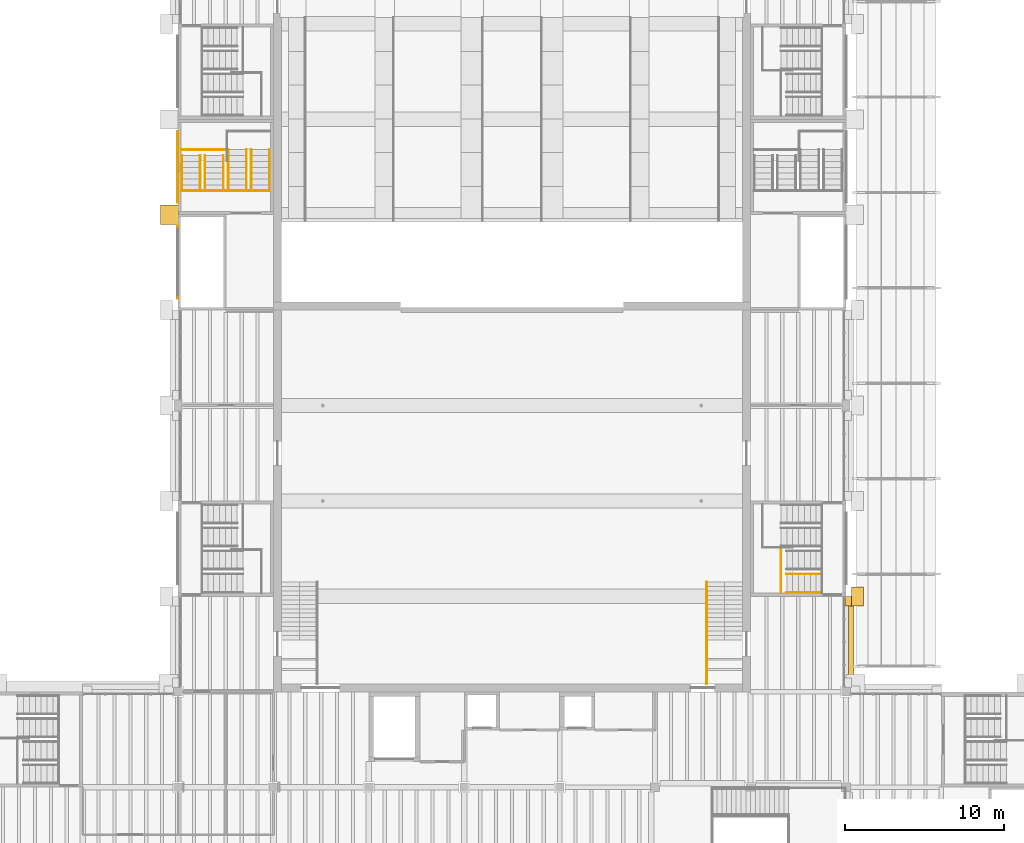
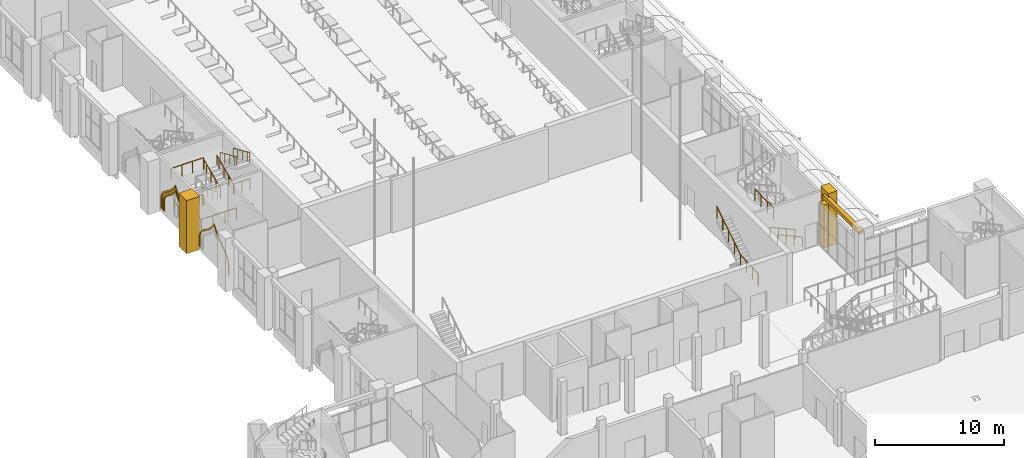
# One storey, part 64 of 80: 16 railings, 8 coverings.
"""IFC4 building model written with IfcOpenShell, lengths in metres."""

import ifcopenshell
import ifcopenshell.guid

model = None  # the IFC model being written
_history = None  # IfcOwnerHistory: only IFC2X3 demands one
_inside = {}  # id of a spatial element -> (the spatial element, [elements in it])
_under = {}  # id of a project, library or spatial element -> (it, [spatial elements below it])
_declared = {}  # id of a project -> (the project, [libraries it declares])
_typed = {}  # id of a type object -> (the type object, [elements of that type])
_made_of = {}  # id of a material, layer set ... -> (it, [elements and type objects made of it])


def new_model(schema):
    """Start an empty IFC model of exactly this schema.

    Asked for "IFC4X3", IfcOpenShell would pick the latest addendum, in which some entities
    have other attributes; the version numbers below select the first issue.
    IFC2X3 requires an IfcOwnerHistory on every rooted entity: one is made here for all.
    """
    global model, _history
    if schema == "IFC4X3":
        model = ifcopenshell.file(schema_version=(4, 3, 0, 0))
    else:
        model = ifcopenshell.file(schema=schema)
    _inside.clear()
    _under.clear()
    _declared.clear()
    _typed.clear()
    _made_of.clear()
    _history = None
    if model.schema == "IFC2X3":
        org = make("IfcOrganization", Name="unknown")
        user = make(
            "IfcPersonAndOrganization",
            ThePerson=make("IfcPerson", FamilyName="unknown"),
            TheOrganization=org,
        )
        app = make(
            "IfcApplication",
            ApplicationDeveloper=org,
            Version="unknown",
            ApplicationFullName="unknown",
            ApplicationIdentifier="unknown",
        )
        _history = make(
            "IfcOwnerHistory",
            OwningUser=user,
            OwningApplication=app,
            ChangeAction="ADDED",
            CreationDate=0,
        )
    return model


def make(cls, **values):
    """One entity of the class cls with the attributes given. An attribute that is None is left unset."""
    return model.create_entity(
        cls, **{name: value for name, value in values.items() if value is not None}
    )


def rooted(cls, **values):
    """An entity with a GlobalId (a new one), such as an element, a storey or a relation."""
    return make(cls, GlobalId=ifcopenshell.guid.new(), OwnerHistory=_history, **values)


def si_unit(unit_type, name, prefix=None):
    """IfcSIUnit, for example si_unit("LENGTHUNIT", "METRE", prefix="MILLI")."""
    return make("IfcSIUnit", UnitType=unit_type, Prefix=prefix, Name=name)


def assignment(units):
    """IfcUnitAssignment: the units of a project."""
    return None if units is None else make("IfcUnitAssignment", Units=units)


def point(xyz):
    """IfcCartesianPoint."""
    return None if xyz is None else make("IfcCartesianPoint", Coordinates=xyz)


def direction(xyz):
    """IfcDirection."""
    return None if xyz is None else make("IfcDirection", DirectionRatios=xyz)


def frame(location, z_axis=None, x_axis=None):
    """IfcAxis2Placement3D, a coordinate frame: its origin and axes. An axis left out is left unset."""
    return make(
        "IfcAxis2Placement3D",
        Location=point(location),
        Axis=direction(z_axis),
        RefDirection=direction(x_axis),
    )


def frame_2d(location, x_axis=None):
    """IfcAxis2Placement2D, a coordinate frame in the plane: its origin and x axis."""
    return make(
        "IfcAxis2Placement2D", Location=point(location), RefDirection=direction(x_axis)
    )


def origin():
    """The frame at (0, 0, 0) with its axes left unset."""
    return frame((0.0, 0.0, 0.0))


def origin_2d():
    """The frame at (0, 0) in the plane with its x axis left unset."""
    return frame_2d((0.0, 0.0))


def place(relative_to, where):
    """IfcLocalPlacement: puts the frame where relative to a parent placement (None: the world)."""
    return make(
        "IfcLocalPlacement", PlacementRelTo=relative_to, RelativePlacement=where
    )


def context(
    kind, dimensions, precision=None, world=None, true_north=None, identifier=None
):
    """IfcGeometricRepresentationContext, for example the 3D "Model" context."""
    return make(
        "IfcGeometricRepresentationContext",
        ContextIdentifier=identifier,
        ContextType=kind,
        CoordinateSpaceDimension=dimensions,
        Precision=precision,
        WorldCoordinateSystem=world,
        TrueNorth=true_north,
    )


def subcontext(parent, identifier, kind, view, scale=None):
    """IfcGeometricRepresentationSubContext, for example "Body" below "Model"."""
    return make(
        "IfcGeometricRepresentationSubContext",
        ContextIdentifier=identifier,
        ContextType=kind,
        ParentContext=parent,
        TargetScale=scale,
        TargetView=view,
    )


def project(units=None, contexts=None):
    """IfcProject with its units and contexts."""
    return rooted(
        "IfcProject",
        Name="project",
        RepresentationContexts=contexts,
        UnitsInContext=assignment(units),
    )


def spatial(cls, under=None, at=None, **own):
    """A site, building, storey or space (cls), placed at a placement, below another one or the project."""
    s = rooted(cls, ObjectPlacement=at, **own)
    if under is not None:
        _under.setdefault(under.id(), (under, []))[1].append(s)
    return s


def polyline(points):
    """IfcPolyline through the points."""
    return make("IfcPolyline", Points=[point(p) for p in points])


def profile(cls, at=None, kind="AREA", **sizes):
    """A parametric profile (cls). Its sizes go by their IFC names, for example OverallWidth=200.0."""
    return make(cls, ProfileType=kind, Position=at, **sizes)


def rectangle(**sizes):
    """IfcRectangleProfileDef."""
    return profile("IfcRectangleProfileDef", **sizes)


def circle(**sizes):
    """IfcCircleProfileDef."""
    return profile("IfcCircleProfileDef", **sizes)


def outline(outer, holes=None, kind="AREA"):
    """IfcArbitraryClosedProfileDef: a profile drawn as a closed curve; with holes, ...WithVoids."""
    if holes is None:
        return make("IfcArbitraryClosedProfileDef", ProfileType=kind, OuterCurve=outer)
    return make(
        "IfcArbitraryProfileDefWithVoids",
        ProfileType=kind,
        OuterCurve=outer,
        InnerCurves=holes,
    )


def extrude(swept, where, along, depth):
    """IfcExtrudedAreaSolid: the profile swept, set in the frame where, extruded along a direction by depth."""
    return make(
        "IfcExtrudedAreaSolid",
        SweptArea=swept,
        Position=where,
        ExtrudedDirection=direction(along),
        Depth=depth,
    )


def shape(context_of_items, identifier, shape_type, items):
    """IfcShapeRepresentation: the items that make up one representation, for example the "Body"."""
    return make(
        "IfcShapeRepresentation",
        ContextOfItems=context_of_items,
        RepresentationIdentifier=identifier,
        RepresentationType=shape_type,
        Items=items,
    )


def material(Name=None, Category=None):
    """IfcMaterial."""
    return make("IfcMaterial", Name=Name, Category=Category)


def layer(
    of_material, thickness, ventilated=None, Name=None, Category=None, Priority=None
):
    """IfcMaterialLayer: one layer of a wall or slab, of a material (None: an air gap)."""
    return make(
        "IfcMaterialLayer",
        Material=of_material,
        LayerThickness=thickness,
        IsVentilated=ventilated,
        Name=Name,
        Category=Category,
        Priority=Priority,
    )


def layer_set(layers, Name=None):
    """IfcMaterialLayerSet."""
    return make("IfcMaterialLayerSet", MaterialLayers=layers, LayerSetName=Name)


def made_of(thing, what):
    """Note that an element or type object is made of a material, layer set ...; save() writes the relation."""
    if what is not None:
        _made_of.setdefault(what.id(), (what, []))[1].append(thing)
    return thing


def type_object(cls, material=None, **own):
    """A type object (cls), such as IfcWallType, which elements share."""
    return made_of(rooted(cls, **own), material)


def element(
    cls,
    number,
    at=None,
    inside=None,
    cuts=None,
    type_object=None,
    material=None,
    context=None,
    identifier="Body",
    shape_type=None,
    held_by="IfcProductDefinitionShape",
    body=None,
    shapes=None,
    **own,
):
    """One element of the class cls, such as IfcWall. Its Tag is "e" and its number.

    at: its placement. inside: the storey or other place that contains it. cuts: it is an
    opening in that element (IfcRelVoidsElement). A single representation is given by context,
    identifier, shape_type and body (its items); several are given by shapes. held_by: the class
    of the entity that holds the representations. save() writes the other relations.
    """
    e = rooted(cls, Tag="e%d" % number, ObjectPlacement=at, **own)
    if body is not None:
        shapes = [shape(context, identifier, shape_type, body)]
    if shapes is not None:
        e.Representation = make(held_by, Representations=shapes)
    if inside is not None:
        _inside.setdefault(inside.id(), (inside, []))[1].append(e)
    if cuts is not None:
        rooted(
            "IfcRelVoidsElement", RelatingBuildingElement=cuts, RelatedOpeningElement=e
        )
    if type_object is not None:
        _typed.setdefault(type_object.id(), (type_object, []))[1].append(e)
    return made_of(e, material)


def aggregate(whole, parts):
    """IfcRelAggregates: a whole, such as a stair, and the parts it consists of."""
    return rooted("IfcRelAggregates", RelatingObject=whole, RelatedObjects=parts)


def save(model, path):
    """Write the relations noted so far, then the file.

    IfcRelAggregates (storeys below a building ...), IfcRelContainedInSpatialStructure (elements
    in a storey), IfcRelDefinesByType, IfcRelAssociatesMaterial and IfcRelDeclares: one each for
    every whole, place, type object, material and project.
    """
    for whole, parts in _under.values():
        aggregate(whole, parts)
    for where, things in _inside.values():
        rooted(
            "IfcRelContainedInSpatialStructure",
            RelatedElements=things,
            RelatingStructure=where,
        )
    for kind, things in _typed.values():
        rooted("IfcRelDefinesByType", RelatedObjects=things, RelatingType=kind)
    for what, things in _made_of.values():
        rooted("IfcRelAssociatesMaterial", RelatedObjects=things, RelatingMaterial=what)
    for by, libraries in _declared.values():
        rooted("IfcRelDeclares", RelatingContext=by, RelatedDefinitions=libraries)
    model.write(path)


model = new_model("IFC4")

# Units and contexts
model_context = context("Model", 3, precision=1e-05, world=origin(), true_north=direction((0.0, 1.0)))
body_context = subcontext(model_context, "Body", "Model", "MODEL_VIEW")
ifc_project = project(units=[si_unit("LENGTHUNIT", "METRE"), si_unit("AREAUNIT", "SQUARE_METRE"), si_unit("VOLUMEUNIT", "CUBIC_METRE"), si_unit("PLANEANGLEUNIT", "RADIAN"), si_unit("MASSUNIT", "GRAM", prefix="KILO")], contexts=[model_context])

# Site, building, storey
site_placement = place(None, origin())
site = spatial("IfcSite", under=ifc_project, at=site_placement, CompositionType="ELEMENT")
building_placement = place(site_placement, origin())
building = spatial("IfcBuilding", under=site, at=building_placement, Name="Saffron Lane Theatres", CompositionType="ELEMENT")
storey_placement = place(building_placement, frame((0.0, 0.0, 7.0)))
storey = spatial("IfcBuildingStorey", under=building, at=storey_placement, Name="L01", CompositionType="ELEMENT", Elevation=7.0)

# Coverings
ifc_material_1 = material(Name="Masonry sandstone", Category="masonry")
ifc_layer_1 = layer(ifc_material_1, 0.050048828125)
ifc_layer_set_1 = layer_set([ifc_layer_1], Name="Masonry sandstone")
covering_type_1 = type_object("IfcCoveringType", Name="EX-ARCH FRAME RING SANDSTONE 50", PredefinedType="CLADDING", material=ifc_layer_set_1)
covering_1_placement = place(storey_placement, frame((12.0, 61.220947265625, 1.466064453125), z_axis=(1.0, 0.0, 0.0), x_axis=(0.0, -0.06442827163, -0.997922340573)))
element("IfcCovering", 1, at=covering_1_placement, inside=storey, type_object=covering_type_1, Name="Arch recess ring L01", PredefinedType="CLADDING", context=body_context, shape_type="SweptSolid", body=[
    extrude(outline(polyline([(0.0, 0.0), (0.17052029873114202, -1.734723475976807e-18), (1.0646548177504682, 0.057727479707130096), (1.0569158749668421, 0.17759510460018418), (0.1666794900903794, 0.12011929782910698), (0.009378312325415084, 0.11999416045256955), (-0.12631115114749694, 0.14132553905751855), (-0.24603161728210898, 0.1805686902487979), (-0.35582673200113546, 0.23659947491203814), (-0.4578891957599371, 0.3092763270207095), (-0.555794861524932, 0.3971451362776176), (-0.653316026970957, 0.49800516267527767), (-0.7518515741675732, 0.6107874953269541), (-0.8559833487339207, 0.734462372469297), (-0.9676838373063142, 0.8654773607007713), (-1.0898294518163916, 1.00291280516755), (-1.2261138421464728, 1.1433497989425043), (-1.3797199718461386, 1.2868274911490194), (-1.5533040390279798, 1.4290153595582635), (-1.7497739147406413, 1.569481016084268), (-1.8987485633254448, 1.6601689117707128), (-1.7626721527133515, 1.769260390906025), (-1.5858956842468284, 1.9338237310590929), (-1.4320364834281316, 2.0971521260967796), (-1.2981552200916107, 2.259190697337195), (-1.1810608911355616, 2.415986431955586), (-1.077601992127411, 2.5679874475964257), (-0.9836759046637523, 2.7122781832046896), (-0.8963118394619282, 2.8483164933306306), (-0.8130968822475313, 2.9728330766257725), (-0.7293548100504015, 3.0853958945498916), (-0.6435609043329518, 3.185124790918292), (-0.5516911944842918, 3.270322371595594), (-0.45001253195297086, 3.340006413039703), (-0.33633221628362797, 3.394318481277149), (-0.20451222420252907, 3.432920915118727), (-0.04850087023483576, 3.45302398997744), (0.841735514641627, 3.510499796748517), (0.8339965718580008, 3.6303674216415716), (-0.06013794716132548, 3.5726399419344412), (-0.22924258562717004, 3.5507129373808337), (-0.378596141799031, 3.507064111625651), (-0.5108079746597345, 3.444216136307078), (-0.6259724615603004, 3.3636308117286893), (-0.7289703097314318, 3.2689074104217855), (-0.8232595752236446, 3.1605566187191068), (-0.9107501759849842, 3.0416355637022074), (-0.996699979104489, 2.914006625097878), (-1.0852822112259581, 2.7778896671794207), (-1.1770785164682693, 2.6347150311334024), (-1.2787771031070279, 2.485763452567737), (-1.393199504391982, 2.333054606794249), (-1.5222947873945643, 2.1764626573449113), (-1.670393474343606, 2.018643802332316), (-1.8417002509999132, 1.8603051727976225), (-2.106324206432929, 1.6467673279258968), (-1.816438580043605, 1.469029958207694), (-1.6261934149493182, 1.3340339934919054), (-1.4590305030942705, 1.196569187182587), (-1.3108709951856827, 1.0578774753100109), (-1.1777618783988018, 0.9211498609758807), (-1.057754085662196, 0.786512180648223), (-0.9483092157791764, 0.6563301599259349), (-0.842959274293184, 0.5327339305761084), (-0.7413113717873806, 0.417216752019324), (-0.6392551998519803, 0.31053329351799586), (-0.5318160234510044, 0.21520657625605405), (-0.4174928931574932, 0.13451394113409837), (-0.29292213027195085, 0.06940650212296195), (-0.15372637343577983, 0.024081254977071236), (0.0, 0.0)])), origin(), (0.0, 0.0, -1.0), 0.050048828125),
])
covering_2_placement = place(storey_placement, frame((12.0, 60.962890625, 1.489013671875), z_axis=(1.0, 0.0, 0.0), x_axis=(0.0, -0.067277250526, -0.997734319126)))
element("IfcCovering", 2, at=covering_2_placement, inside=storey, type_object=covering_type_1, Name="Arch recess ring L01", PredefinedType="CLADDING", context=body_context, shape_type="SweptSolid", body=[
    extrude(outline(polyline([(0.0, 0.0), (0.19233029031026627, 1.734723475976807e-18), (1.0875142802486646, 0.060362279219764774), (1.0740621151654026, 0.2598604255488935), (0.18496781223338807, 0.19990877407892305), (0.015584020397099685, 0.20072197197738367), (-0.12930993244145556, 0.22300681743565523), (-0.25737744477051455, 0.26428900709195824), (-0.3738324043353903, 0.32568513851799763), (-0.4833823096412719, 0.4044308347113844), (-0.5899409854822366, 0.5005068813925055), (-0.6969186565818595, 0.6136833270214763), (-0.806455545762842, 0.7394113458537827), (-0.9222383154489977, 0.8779317362000586), (-1.0464893140129872, 1.0259136097170674), (-1.1832181277392173, 1.1811290396929053), (-1.336190755431839, 1.3413665245256616), (-1.5076131203535217, 1.5030515883918443), (-1.7018369469288772, 1.6654014043510899), (-1.9220589334515876, 1.8250193836201942), (-2.049700012736332, 1.9035239715952115), (-1.9337536117657297, 1.998453669562001), (-1.7369538320912872, 2.1861914371370204), (-1.5662836132441338, 2.3731460678639418), (-1.4181192040708015, 2.55638087603933), (-1.288043179706711, 2.735704338682526), (-1.1733897138094234, 2.9078704821698738), (-1.0701300058149192, 3.071193408419198), (-0.9739916676789238, 3.224003644458316), (-0.88232529816899, 3.363298804143827), (-0.7915099353012716, 3.489812439086117), (-0.6988140522933629, 3.5993242257405087), (-0.6008274244216893, 3.6920641156468856), (-0.493669077112157, 3.768538498045372), (-0.3723030096597413, 3.8266400003332506), (-0.23179456118898933, 3.869393012103157), (-0.06397115480191937, 3.8917206248289538), (0.8251231481300952, 3.9516722762989245), (0.8116709830468334, 4.151170422628053), (-0.08351300689156488, 4.090808143408289), (-0.27410223554270324, 4.064987870501222), (-0.4451520913660816, 4.014302770236232), (-0.5955924629503493, 3.941027255485577), (-0.7275034510174831, 3.846978625211365), (-0.844380195010638, 3.73681510258881), (-0.9502679206038257, 3.612466173180341), (-1.0472960038489982, 3.476479898388833), (-1.1427584332134457, 3.3317901747481002), (-1.2394961329102734, 3.176981963536964), (-1.3410042423826358, 3.0167134879306374), (-1.452105235905665, 2.849925483288521), (-1.5768114889333888, 2.678060260212532), (-1.7181938772187972, 2.503113004705068), (-1.8797940263653994, 2.3268024650682873), (-2.066256523608039, 2.1490601516926002), (-2.3929147724161153, 1.8803809916168037), (-2.033143501864625, 1.6579877914978223), (-1.8245728065730595, 1.5078613564498122), (-1.6407002082776134, 1.3538672728603436), (-1.4771110712833284, 1.199484255062579), (-1.3304608713065962, 1.045916604517425), (-1.197974384574279, 0.8955537098670809), (-1.0758691871722335, 0.7503634852332024), (-0.9592899546053444, 0.6109180202958803), (-0.8452014505102268, 0.4793795413270504), (-0.7307956008937585, 0.35765026200840155), (-0.6091726199284526, 0.24864238533224842), (-0.47856448398217566, 0.15516677446133414), (-0.335221619360768, 0.07967851847782517), (-0.17630589102074565, 0.02726289341672148), (0.0, 0.0)])), origin(), (0.0, 0.0, -1.0), 0.050048828125),
])
covering_3_placement = place(storey_placement, frame((12.0, 60.763916015625, 1.5029296875), z_axis=(1.0, 0.0, 0.0), x_axis=(0.0, -0.067065646472, -0.997748565052)))
element("IfcCovering", 3, at=covering_3_placement, inside=storey, type_object=covering_type_1, Name="Arch recess ring L01", PredefinedType="CLADDING", context=body_context, shape_type="SweptSolid", body=[
    extrude(outline(polyline([(0.0, 0.0), (0.2074984191926236, 1.734723475976807e-18), (1.1014772360238896, 0.06009055726342236), (1.0920952498353498, 0.19966817634906692), (0.20201388833631823, 0.13983959426717446), (0.011615956568756983, 0.14025496281157382), (-0.1545495581607764, 0.1660342398852799), (-0.3013217281198837, 0.216362774594851), (-0.435308245304982, 0.2876154279151693), (-0.5608118797206071, 0.37827952297569045), (-0.6813411454755376, 0.4895873772421637), (-0.8002551848645222, 0.616908751733141), (-0.9221167322992069, 0.7589581870874968), (-1.0488253950991717, 0.9148739228396727), (-1.186176225141812, 1.079861985519764), (-1.3360197094001713, 1.2523298417874185), (-1.5023331596762923, 1.4295632334296131), (-1.689857407544703, 1.6092859638033192), (-1.9023752941957186, 1.789530921019154), (-2.1427587800075587, 1.9657006129933605), (-2.3310778582787033, 2.0844417257822565), (-2.1603438640677535, 2.227317302169595), (-1.945699439841227, 2.434072596587418), (-1.7592153368547458, 2.6411372630123773), (-1.5974301505716484, 2.844339519030701), (-1.456331811517781, 3.0422362031160675), (-1.3309175129370854, 3.2332060565792715), (-1.2168824740506068, 3.4150915184680417), (-1.1121797264991542, 3.5865620306235555), (-1.01042477424689, 3.74364229201819), (-0.9096852630765426, 3.886706881200974), (-0.805070989599554, 4.01216943836774), (-0.6928953425442629, 4.119788383334645), (-0.5695843140065082, 4.207357034802879), (-0.4308678808794456, 4.276875251559516), (-0.2696471477012892, 4.324660443881734), (-0.08101754840905481, 4.350552898829916), (0.8090638130899768, 4.410381480911808), (0.799681826901437, 4.549959099997453), (-0.09429698992982904, 4.4898685427340315), (-0.299928835954052, 4.462099173491861), (-0.48175454911721033, 4.407790454445362), (-0.6417883508808035, 4.327785761836828), (-0.782322811336707, 4.22706951819905), (-0.9076463378150302, 4.107555693526036), (-1.0206021653451405, 3.9715000894631314), (-1.1270384876998094, 3.8221799810608545), (-1.2304638189878152, 3.660827685784956), (-1.3361409303723266, 3.48929167983406), (-1.4482927353880704, 3.3085115693691134), (-1.5720202814841786, 3.1215701588289084), (-1.7092559228779225, 2.928092869664417), (-1.8663186618097571, 2.7310806390702025), (-2.046457047981351, 2.531538567002596), (-2.253455933357439, 2.3311697793950295), (-2.5685790425867374, 2.0684776131577776), (-2.2211347453361867, 1.85032122778061), (-1.9891827239193753, 1.6794573949928497), (-1.7839602141162927, 1.5058181189990123), (-1.6019443391437345, 1.3315977291979), (-1.440050283788488, 1.1582270352158286), (-1.292417502377776, 0.9895256466896438), (-1.1570808937966353, 0.8253809602518462), (-1.0293978671636117, 0.6695307182950527), (-0.9053092434324345, 0.5234712242409627), (-0.7798469735191562, 0.38973863913971574), (-0.6496990247011458, 0.27002373702473836), (-0.5095084066710004, 0.16835697159344964), (-0.356759353376265, 0.08735436036579791), (-0.18752367336143377, 0.030460934429599087), (0.0, 0.0)])), origin(), (0.0, 0.0, -1.0), 0.050048828125),
])
covering_4_placement = place(storey_placement, frame((12.0, 54.715087890625, 1.447998046875), z_axis=(1.0, 0.0, 0.0), x_axis=(0.0, -0.071247049988, -0.997458699831)))
element("IfcCovering", 4, at=covering_4_placement, inside=storey, type_object=covering_type_1, Name="Arch recess ring L01", PredefinedType="CLADDING", context=body_context, shape_type="SweptSolid", body=[
    extrude(outline(polyline([(0.0, 0.0), (0.2124539718145333, 1.734723475976807e-18), (1.0465106238946769, 0.05957547514858168), (1.0365262960887538, 0.19935606443150206), (0.20660948724521258, 0.1400762923712491), (0.011045380064043608, 0.14005889807193567), (-0.15921002161604908, 0.16608076984486358), (-0.31007077956164, 0.21527184830331292), (-0.4476596871310651, 0.287684316345224), (-0.5766905994382706, 0.38077860627083254), (-0.700016181570663, 0.49337190572682355), (-0.8236374667913842, 0.6238117562784188), (-0.9483371985695395, 0.7693498586340927), (-1.0788292320190753, 0.9274466450940806), (-1.2200883367436393, 1.0957886738496934), (-1.3740974628649651, 1.2712971539224491), (-1.5453965225038653, 1.4524239926734508), (-1.7378644444072395, 1.6352206841585444), (-1.9555541003151224, 1.8181739243374588), (-2.2028836422531324, 1.9980309792385782), (-2.398065074849405, 2.119443188446491), (-2.2221217372938127, 2.2673643098081078), (-2.0028665944477186, 2.4805488421938064), (-1.813390492026259, 2.6925853508248165), (-1.6488578148202926, 2.9008820851034343), (-1.5050417480966507, 3.1045171471660464), (-1.3775415341290294, 3.3001334372451554), (-1.261643317803482, 3.486843846075776), (-1.1549466858147521, 3.6618826800670687), (-1.0521985597701764, 3.823667057981509), (-0.9483719871681664, 3.970353184091871), (-0.8423015499547208, 4.099331913501136), (-0.7278122718735633, 4.209820502740199), (-0.6019123334427796, 4.301053602639268), (-0.4595747821607814, 4.371187417471116), (-0.2948159790637404, 4.422117925860912), (-0.10116524480705141, 4.448922541102945), (0.7287515640364899, 4.508202313163198), (0.718767236230567, 4.647982902446119), (-0.1152894158495765, 4.588407427297536), (-0.32558649454924143, 4.558210923689379), (-0.5110097252306665, 4.501888182512413), (-0.6746205045730195, 4.421178633697985), (-0.8177581936234366, 4.317699947082244), (-0.944301721128818, 4.194356970650538), (-1.0596433198763349, 4.054680747163498), (-1.1679054388032757, 3.901558730307158), (-1.2732974983434966, 3.7356692977547428), (-1.3812117312841683, 3.560543492266883), (-1.4952313632838625, 3.374946318592323), (-1.6207486271297502, 3.1824088194916955), (-1.7611032282900148, 2.985140070977808), (-1.9211133876744824, 2.7820616264932267), (-2.10403183925477, 2.5775916380635686), (-2.3159987706885268, 2.3720258087771633), (-2.6354972604780587, 2.1024837466158726), (-2.280931863272602, 1.8810891049542235), (-2.0418994021071106, 1.707737517996336), (-1.83177626640058, 1.5313419286585939), (-1.6445266342912426, 1.3530677549949988), (-1.4775587551813927, 1.1777506122146908), (-1.3259500423653234, 1.0050078257327741), (-1.1867086763611199, 0.8375007233442073), (-1.0549990419596424, 0.6794909083807867), (-0.9270987591078116, 0.5302652145706606), (-0.7981722125964867, 0.39408524524562516), (-0.6641491363863198, 0.27222078425556295), (-0.5214289105194256, 0.16908998362609123), (-0.36496718819490237, 0.08603220440434596), (-0.19154602403976098, 0.029396365839738113), (0.0, 0.0)])), origin(), (0.0, 0.0, -1.0), 0.050048828125),
])
ifc_material_2 = material(Name="Masonry sandstone", Category="masonry")
ifc_layer_2 = layer(ifc_material_2, 1.199951171875)
ifc_layer_set_2 = layer_set([ifc_layer_2], Name="Masonry sandstone")
covering_type_2 = type_object("IfcCoveringType", Name="EX-FLANK BUTTRESS PIER SANDSTONE 1200", PredefinedType="CLADDING", material=ifc_layer_set_2)
covering_5_placement = place(storey_placement, frame((11.47509765625, 60.0, 0.0), z_axis=(0.0, 0.0, 1.0), x_axis=(0.0, 1.0, 0.0)))
element("IfcCovering", 5, at=covering_5_placement, inside=storey, type_object=covering_type_2, Name="Flank buttress west L01", PredefinedType="CLADDING", context=body_context, shape_type="SweptSolid", body=[
    extrude(rectangle(XDim=1.199951171875, YDim=1.14990234375, at=origin_2d()), origin(), (0.0, 0.0, 1.0), 5.0),
])
covering_6_placement = place(storey_placement, frame((54.72509765625, 36.0, 0.0), z_axis=(0.0, 0.0, 1.0), x_axis=(0.0, 1.0, 0.0)))
element("IfcCovering", 6, at=covering_6_placement, inside=storey, type_object=covering_type_2, Name="Flank buttress east L01", PredefinedType="CLADDING", context=body_context, shape_type="SweptSolid", body=[
    extrude(rectangle(XDim=1.199951171875, YDim=0.75, at=origin_2d()), origin(), (0.0, 0.0, 1.0), 5.0),
])
ifc_material_3 = material(Name="Masonry sandstone", Category="masonry")
ifc_layer_3 = layer(ifc_material_3, 0.39990234375)
ifc_layer_set_3 = layer_set([ifc_layer_3], Name="Masonry sandstone")
covering_type_3 = type_object("IfcCoveringType", Name="EX-PILASTER PIER SANDSTONE 400", PredefinedType="CLADDING", material=ifc_layer_set_3)
covering_7_placement = place(storey_placement, frame((54.14990234375, 35.699951171875, 0.0), z_axis=(0.0, 0.0, 1.0), x_axis=(0.0, -1.0, 0.0)))
element("IfcCovering", 7, at=covering_7_placement, inside=storey, type_object=covering_type_3, Name="Pilaster pier L01", PredefinedType="CLADDING", context=body_context, shape_type="SweptSolid", body=[
    extrude(rectangle(XDim=0.60009765625, YDim=0.39990234375, at=origin_2d()), origin(), (0.0, 0.0, 1.0), 4.050048828125),
])
ifc_material_4 = material(Name="Masonry sandstone", Category="masonry")
ifc_layer_4 = layer(ifc_material_4, 0.300048828125)
ifc_layer_set_4 = layer_set([ifc_layer_4], Name="Masonry sandstone")
covering_type_4 = type_object("IfcCoveringType", Name="EX-STRING COURSE SANDSTONE 350", PredefinedType="CLADDING", material=ifc_layer_set_4)
covering_8_placement = place(storey_placement, frame((54.324951171875, 33.137939453125, 4.300048828125), z_axis=(0.0, 0.0, 1.0), x_axis=(0.0, -1.0, 0.0)))
element("IfcCovering", 8, at=covering_8_placement, inside=storey, type_object=covering_type_4, Name="String course L01", PredefinedType="CLADDING", context=body_context, shape_type="SweptSolid", body=[
    extrude(rectangle(XDim=5.72509765625, YDim=0.35009765625, at=origin_2d()), origin(), (0.0, 0.0, 1.0), 0.35009765625),
])

# Railings
ifc_material_5 = material(Name="Steel Grade 350", Category="steel")
railing_type_1 = type_object("IfcRailingType", Name="VC-GUARD 1100", PredefinedType="GUARDRAIL", material=ifc_material_5)
railing_1_placement = place(storey_placement, frame((12.22998046875, 64.090087890625, 3.666748046875)))
element("IfcRailing", 9, at=railing_1_placement, inside=storey, type_object=railing_type_1, Name="Auditorium West Front Stair landing guard 2N2s", PredefinedType="GUARDRAIL", context=body_context, shape_type="SweptSolid", body=[
    extrude(circle(Radius=0.02392578125, at=origin_2d()), frame((0.0, 0.0, 1.076171875), z_axis=(1.0, 0.0, 0.0), x_axis=(0.0, 1.0, 0.0)), (0.0, 0.0, 1.0), 2.8701171875),
    extrude(circle(Radius=0.02099609375, at=origin_2d()), origin(), (0.0, 0.0, 1.0), 1.052001953125),
    extrude(circle(Radius=0.02099609375, at=origin_2d()), frame((0.956787109375, 0.0, 0.0)), (0.0, 0.0, 1.0), 1.052001953125),
    extrude(circle(Radius=0.02099609375, at=origin_2d()), frame((1.913330078125, 0.0, 0.0)), (0.0, 0.0, 1.0), 1.052001953125),
    extrude(circle(Radius=0.02099609375, at=origin_2d()), frame((2.8701171875, 0.0, 0.0)), (0.0, 0.0, 1.0), 1.052001953125),
])
railing_2_placement = place(storey_placement, frame((12.22998046875, 61.5, 2.333251953125)))
element("IfcRailing", 10, at=railing_2_placement, inside=storey, type_object=railing_type_1, Name="Auditorium West Front Stair landing guard 2S2w", PredefinedType="GUARDRAIL", context=body_context, shape_type="SweptSolid", body=[
    extrude(circle(Radius=0.02392578125, at=origin_2d()), frame((0.0, 0.0, 1.076171875), z_axis=(1.0, 0.0, 0.0), x_axis=(0.0, 1.0, 0.0)), (0.0, 0.0, 1.0), 1.320068359375),
    extrude(circle(Radius=0.02099609375, at=origin_2d()), origin(), (0.0, 0.0, 1.0), 1.052001953125),
    extrude(circle(Radius=0.02099609375, at=origin_2d()), frame((0.66015625, 0.0, 0.0)), (0.0, 0.0, 1.0), 1.052001953125),
    extrude(circle(Radius=0.02099609375, at=origin_2d()), frame((1.320068359375, 0.0, 0.0)), (0.0, 0.0, 1.0), 1.052001953125),
])
railing_3_placement = place(storey_placement, frame((16.35009765625, 61.5, 2.333251953125)))
element("IfcRailing", 11, at=railing_3_placement, inside=storey, type_object=railing_type_1, Name="Auditorium West Front Stair landing guard 2S2e", PredefinedType="GUARDRAIL", context=body_context, shape_type="SweptSolid", body=[
    extrude(circle(Radius=0.02392578125, at=origin_2d()), frame((0.0, 0.0, 1.076171875), z_axis=(1.0, 0.0, 0.0), x_axis=(0.0, 1.0, 0.0)), (0.0, 0.0, 1.0), 1.419921875),
    extrude(circle(Radius=0.02099609375, at=origin_2d()), origin(), (0.0, 0.0, 1.0), 1.052001953125),
    extrude(circle(Radius=0.02099609375, at=origin_2d()), frame((0.7099609375, 0.0, 0.0)), (0.0, 0.0, 1.0), 1.052001953125),
    extrude(circle(Radius=0.02099609375, at=origin_2d()), frame((1.419921875, 0.0, 0.0)), (0.0, 0.0, 1.0), 1.052001953125),
])
railing_4_placement = place(storey_placement, frame((13.449951171875, 61.5, 0.0)))
element("IfcRailing", 12, at=railing_4_placement, inside=storey, type_object=railing_type_1, Name="Auditorium West Front Stair guard L01", PredefinedType="GUARDRAIL", context=body_context, shape_type="SweptSolid", body=[
    extrude(circle(Radius=0.02392578125, at=origin_2d()), frame((0.0, 0.0, 1.076171875), z_axis=(1.0, 0.0, 0.0), x_axis=(0.0, 1.0, 0.0)), (0.0, 0.0, 1.0), 3.10009765625),
    extrude(circle(Radius=0.02099609375, at=origin_2d()), origin(), (0.0, 0.0, 1.0), 1.052001953125),
    extrude(circle(Radius=0.02099609375, at=origin_2d()), frame((1.033447265625, 0.0, 0.0)), (0.0, 0.0, 1.0), 1.052001953125),
    extrude(circle(Radius=0.02099609375, at=origin_2d()), frame((2.066650390625, 0.0, 0.0)), (0.0, 0.0, 1.0), 1.052001953125),
    extrude(circle(Radius=0.02099609375, at=origin_2d()), frame((3.10009765625, 0.0, 0.0)), (0.0, 0.0, 1.0), 1.052001953125),
])
railing_5_placement = place(storey_placement, frame((49.909912109375, 36.22998046875, 3.666748046875)))
element("IfcRailing", 13, at=railing_5_placement, inside=storey, type_object=railing_type_1, Name="Stage East Stair landing guard 2N2s", PredefinedType="GUARDRAIL", context=body_context, shape_type="SweptSolid", body=[
    extrude(circle(Radius=0.02392578125, at=origin_2d()), frame((0.0, 0.0, 1.076171875), z_axis=(0.0, 1.0, 0.0), x_axis=(-1.0, 0.0, 0.0)), (0.0, 0.0, 1.0), 2.8701171875),
    extrude(circle(Radius=0.02099609375, at=origin_2d()), origin(), (0.0, 0.0, 1.0), 1.052001953125),
    extrude(circle(Radius=0.02099609375, at=origin_2d()), frame((0.0, 0.956787109375, 0.0)), (0.0, 0.0, 1.0), 1.052001953125),
    extrude(circle(Radius=0.02099609375, at=origin_2d()), frame((0.0, 1.913330078125, 0.0)), (0.0, 0.0, 1.0), 1.052001953125),
    extrude(circle(Radius=0.02099609375, at=origin_2d()), frame((0.0, 2.8701171875, 0.0)), (0.0, 0.0, 1.0), 1.052001953125),
])
ifc_material_6 = material(Name="Steel Grade 350", Category="steel")
railing_type_2 = type_object("IfcRailingType", Name="VC-HANDRAIL 900", PredefinedType="HANDRAIL", material=ifc_material_6)
for number, where, name in (
    (14, (12.25, 61.5, 0.166748046875), "Auditorium West Front Stair handrail 2.1a"),
    (15, (13.39990234375, 61.5, 0.166748046875), "Auditorium West Front Stair handrail 2.1b"),
):
    element("IfcRailing", number, at=place(storey_placement, frame(where)), inside=storey, type_object=railing_type_2, Name=name, PredefinedType="HANDRAIL", context=body_context, shape_type="SweptSolid", body=[
        extrude(circle(Radius=0.02392578125, at=origin_2d()), frame((0.0, 0.0, 0.8759765625), z_axis=(0.0, 0.911803263409, 0.410627335715), x_axis=(-1.0, 0.0, 0.0)), (0.0, 0.0, 1.0), 0.8115234375),
        extrude(circle(Radius=0.02392578125, at=origin_2d()), frame((0.0, 0.739990234375, 1.208984375), z_axis=(0.0, 0.911803263409, 0.410627335715), x_axis=(-1.0, 0.0, 0.0)), (0.0, 0.0, 1.0), 0.8115234375),
        extrude(circle(Radius=0.02392578125, at=origin_2d()), frame((0.0, 1.47998046875, 1.54248046875), z_axis=(0.0, 0.911690610408, 0.410877391559), x_axis=(-1.0, 0.0, 0.0)), (0.0, 0.0, 1.0), 0.811767578125),
        extrude(circle(Radius=0.02099609375, at=origin_2d()), origin(), (0.0, 0.0, 1.0), 0.851806640625),
        extrude(circle(Radius=0.02099609375, at=origin_2d()), frame((0.0, 0.739990234375, 0.333251953125)), (0.0, 0.0, 1.0), 0.851806640625),
        extrude(circle(Radius=0.02099609375, at=origin_2d()), frame((0.0, 1.47998046875, 0.66650390625)), (0.0, 0.0, 1.0), 0.851806640625),
        extrude(circle(Radius=0.02099609375, at=origin_2d()), frame((0.0, 2.219970703125, 1.0)), (0.0, 0.0, 1.0), 0.851806640625),
    ])
for number, where, name in (
    (16, (13.699951171875, 63.719970703125, 1.333251953125), "Auditorium West Front Stair handrail 2.2a"),
    (17, (14.85009765625, 63.719970703125, 1.333251953125), "Auditorium West Front Stair handrail 2.2b"),
):
    element("IfcRailing", number, at=place(storey_placement, frame(where)), inside=storey, type_object=railing_type_2, Name=name, PredefinedType="HANDRAIL", context=body_context, shape_type="SweptSolid", body=[
        extrude(circle(Radius=0.02392578125, at=origin_2d()), frame((0.0, 0.0, 0.8759765625), z_axis=(0.0, -0.911690610408, 0.410877391559), x_axis=(1.0, 0.0, 0.0)), (0.0, 0.0, 1.0), 0.811767578125),
        extrude(circle(Radius=0.02392578125, at=origin_2d()), frame((0.0, -0.739990234375, 1.20947265625), z_axis=(0.0, -0.911803263409, 0.410627335715), x_axis=(1.0, 0.0, 0.0)), (0.0, 0.0, 1.0), 0.8115234375),
        extrude(circle(Radius=0.02392578125, at=origin_2d()), frame((0.0, -1.47998046875, 1.54248046875), z_axis=(0.0, -0.911803263409, 0.410627335715), x_axis=(1.0, 0.0, 0.0)), (0.0, 0.0, 1.0), 0.8115234375),
        extrude(circle(Radius=0.02099609375, at=origin_2d()), origin(), (0.0, 0.0, 1.0), 0.851806640625),
        extrude(circle(Radius=0.02099609375, at=origin_2d()), frame((0.0, -0.739990234375, 0.33349609375)), (0.0, 0.0, 1.0), 0.851806640625),
        extrude(circle(Radius=0.02099609375, at=origin_2d()), frame((0.0, -1.47998046875, 0.666748046875)), (0.0, 0.0, 1.0), 0.851806640625),
        extrude(circle(Radius=0.02099609375, at=origin_2d()), frame((0.0, -2.219970703125, 1.0)), (0.0, 0.0, 1.0), 0.851806640625),
    ])
for number, where, name in (
    (18, (15.14990234375, 61.5, 2.5), "Auditorium West Front Stair handrail 2.3a"),
    (19, (16.300048828125, 61.5, 2.5), "Auditorium West Front Stair handrail 2.3b"),
):
    element("IfcRailing", number, at=place(storey_placement, frame(where)), inside=storey, type_object=railing_type_2, Name=name, PredefinedType="HANDRAIL", context=body_context, shape_type="SweptSolid", body=[
        extrude(circle(Radius=0.02392578125, at=origin_2d()), frame((0.0, 0.0, 0.8759765625), z_axis=(0.0, 0.911803263409, 0.410627335715), x_axis=(-1.0, 0.0, 0.0)), (0.0, 0.0, 1.0), 0.8115234375),
        extrude(circle(Radius=0.02392578125, at=origin_2d()), frame((0.0, 0.739990234375, 1.208984375), z_axis=(0.0, 0.911690610408, 0.410877391559), x_axis=(-1.0, 0.0, 0.0)), (0.0, 0.0, 1.0), 0.811767578125),
        extrude(circle(Radius=0.02392578125, at=origin_2d()), frame((0.0, 1.47998046875, 1.54248046875), z_axis=(0.0, 0.911803263409, 0.410627335715), x_axis=(-1.0, 0.0, 0.0)), (0.0, 0.0, 1.0), 0.8115234375),
        extrude(circle(Radius=0.02392578125, at=origin_2d()), frame((0.0, 2.219970703125, 1.8759765625), z_axis=(0.0, 0.911741368748, 0.410764745947), x_axis=(-1.0, 0.0, 0.0)), (0.0, 0.0, 1.0), 0.406005859375),
        extrude(circle(Radius=0.02099609375, at=origin_2d()), origin(), (0.0, 0.0, 1.0), 0.851806640625),
        extrude(circle(Radius=0.02099609375, at=origin_2d()), frame((0.0, 0.739990234375, 0.333251953125)), (0.0, 0.0, 1.0), 0.851806640625),
        extrude(circle(Radius=0.02099609375, at=origin_2d()), frame((0.0, 1.47998046875, 0.666748046875)), (0.0, 0.0, 1.0), 0.851806640625),
        extrude(circle(Radius=0.02099609375, at=origin_2d()), frame((0.0, 2.219970703125, 1.0)), (0.0, 0.0, 1.0), 0.851806640625),
        extrude(circle(Radius=0.02099609375, at=origin_2d()), frame((0.0, 2.590087890625, 1.166748046875)), (0.0, 0.0, 1.0), 0.851806640625),
    ])
for number, where, name in (
    (20, (16.60009765625, 64.090087890625, 3.833251953125), "Auditorium West Front Stair handrail 2.4a"),
    (21, (17.75, 64.090087890625, 3.833251953125), "Auditorium West Front Stair handrail 2.4b"),
):
    element("IfcRailing", number, at=place(storey_placement, frame(where)), inside=storey, type_object=railing_type_2, Name=name, PredefinedType="HANDRAIL", context=body_context, shape_type="SweptSolid", body=[
        extrude(circle(Radius=0.02392578125, at=origin_2d()), frame((0.0, 0.0, 0.8759765625), z_axis=(0.0, -0.911690610408, 0.410877391559), x_axis=(1.0, 0.0, 0.0)), (0.0, 0.0, 1.0), 0.811767578125),
        extrude(circle(Radius=0.02392578125, at=origin_2d()), frame((0.0, -0.739990234375, 1.20947265625), z_axis=(0.0, -0.911803263409, 0.410627335715), x_axis=(1.0, 0.0, 0.0)), (0.0, 0.0, 1.0), 0.8115234375),
        extrude(circle(Radius=0.02392578125, at=origin_2d()), frame((0.0, -1.47998046875, 1.54248046875), z_axis=(0.0, -0.911803263409, 0.410627335715), x_axis=(1.0, 0.0, 0.0)), (0.0, 0.0, 1.0), 0.8115234375),
        extrude(circle(Radius=0.02392578125, at=origin_2d()), frame((0.0, -2.219970703125, 1.8759765625), z_axis=(0.0, -0.911741368748, 0.410764745947), x_axis=(1.0, 0.0, 0.0)), (0.0, 0.0, 1.0), 0.406005859375),
        extrude(circle(Radius=0.02099609375, at=origin_2d()), origin(), (0.0, 0.0, 1.0), 0.851806640625),
        extrude(circle(Radius=0.02099609375, at=origin_2d()), frame((0.0, -0.739990234375, 0.33349609375)), (0.0, 0.0, 1.0), 0.851806640625),
        extrude(circle(Radius=0.02099609375, at=origin_2d()), frame((0.0, -1.47998046875, 0.666748046875)), (0.0, 0.0, 1.0), 0.851806640625),
        extrude(circle(Radius=0.02099609375, at=origin_2d()), frame((0.0, -2.219970703125, 1.0)), (0.0, 0.0, 1.0), 0.851806640625),
        extrude(circle(Radius=0.02099609375, at=origin_2d()), frame((0.0, -2.590087890625, 1.166748046875)), (0.0, 0.0, 1.0), 0.851806640625),
    ])
for number, where, name in (
    (22, (52.5, 36.25, 0.166748046875), "Stage East Stair handrail 2.1a"),
    (23, (52.5, 37.39990234375, 0.166748046875), "Stage East Stair handrail 2.1b"),
):
    element("IfcRailing", number, at=place(storey_placement, frame(where)), inside=storey, type_object=railing_type_2, Name=name, PredefinedType="HANDRAIL", context=body_context, shape_type="SweptSolid", body=[
        extrude(circle(Radius=0.02392578125, at=origin_2d()), frame((0.0, 0.0, 0.8759765625), z_axis=(-0.911803263409, 0.0, 0.410627335715), x_axis=(0.0, -1.0, 0.0)), (0.0, 0.0, 1.0), 0.8115234375),
        extrude(circle(Radius=0.02392578125, at=origin_2d()), frame((-0.739990234375, 0.0, 1.208984375), z_axis=(-0.911803263409, 0.0, 0.410627335715), x_axis=(0.0, -1.0, 0.0)), (0.0, 0.0, 1.0), 0.8115234375),
        extrude(circle(Radius=0.02392578125, at=origin_2d()), frame((-1.47998046875, 0.0, 1.54248046875), z_axis=(-0.911690610408, 0.0, 0.410877391559), x_axis=(0.0, -1.0, 0.0)), (0.0, 0.0, 1.0), 0.811767578125),
        extrude(circle(Radius=0.02099609375, at=origin_2d()), origin(), (0.0, 0.0, 1.0), 0.851806640625),
        extrude(circle(Radius=0.02099609375, at=origin_2d()), frame((-0.739990234375, 0.0, 0.333251953125)), (0.0, 0.0, 1.0), 0.851806640625),
        extrude(circle(Radius=0.02099609375, at=origin_2d()), frame((-1.47998046875, 0.0, 0.66650390625)), (0.0, 0.0, 1.0), 0.851806640625),
        extrude(circle(Radius=0.02099609375, at=origin_2d()), frame((-2.219970703125, 0.0, 1.0)), (0.0, 0.0, 1.0), 0.851806640625),
    ])
railing_6_placement = place(storey_placement, frame((45.239990234375, 30.5, 2.5)))
element("IfcRailing", 24, at=railing_6_placement, inside=storey, Name="FHE7", PredefinedType="HANDRAIL", context=body_context, shape_type="SweptSolid", body=[
    extrude(circle(Radius=0.02392578125, at=origin_2d()), frame((0.0, 0.0, 1.076171875), z_axis=(0.0, 0.997915968175, 0.06452689719), x_axis=(-1.0, 0.0, 0.0)), (0.0, 0.0, 1.0), 2.765869140625),
    extrude(circle(Radius=0.02392578125, at=origin_2d()), frame((0.0, 2.760009765625, 1.25439453125), z_axis=(0.0, 0.843111507901, 0.53773877045), x_axis=(-1.0, 0.0, 0.0)), (0.0, 0.0, 1.0), 4.317138671875),
    extrude(circle(Radius=0.02099609375, at=origin_2d()), origin(), (0.0, 0.0, 1.0), 1.052001953125),
    extrude(circle(Radius=0.02099609375, at=origin_2d()), frame((0.0, 0.919921875, 0.0595703125)), (0.0, 0.0, 1.0), 1.052001953125),
    extrude(circle(Radius=0.02099609375, at=origin_2d()), frame((0.0, 1.840087890625, 0.118896484375)), (0.0, 0.0, 1.0), 1.052001953125),
    extrude(circle(Radius=0.02099609375, at=origin_2d()), frame((0.0, 2.760009765625, 0.178466796875)), (0.0, 0.0, 1.0), 1.052001953125),
    extrude(circle(Radius=0.02099609375, at=origin_2d()), frame((0.0, 3.669921875, 0.7587890625)), (0.0, 0.0, 1.0), 1.052001953125),
    extrude(circle(Radius=0.02099609375, at=origin_2d()), frame((0.0, 4.580078125, 1.33935546875)), (0.0, 0.0, 1.0), 1.052001953125),
    extrude(circle(Radius=0.02099609375, at=origin_2d()), frame((0.0, 5.489990234375, 1.919677734375)), (0.0, 0.0, 1.0), 1.052001953125),
    extrude(circle(Radius=0.02099609375, at=origin_2d()), frame((0.0, 6.39990234375, 2.5)), (0.0, 0.0, 1.0), 1.052001953125),
])

save(model, "model.ifc")
